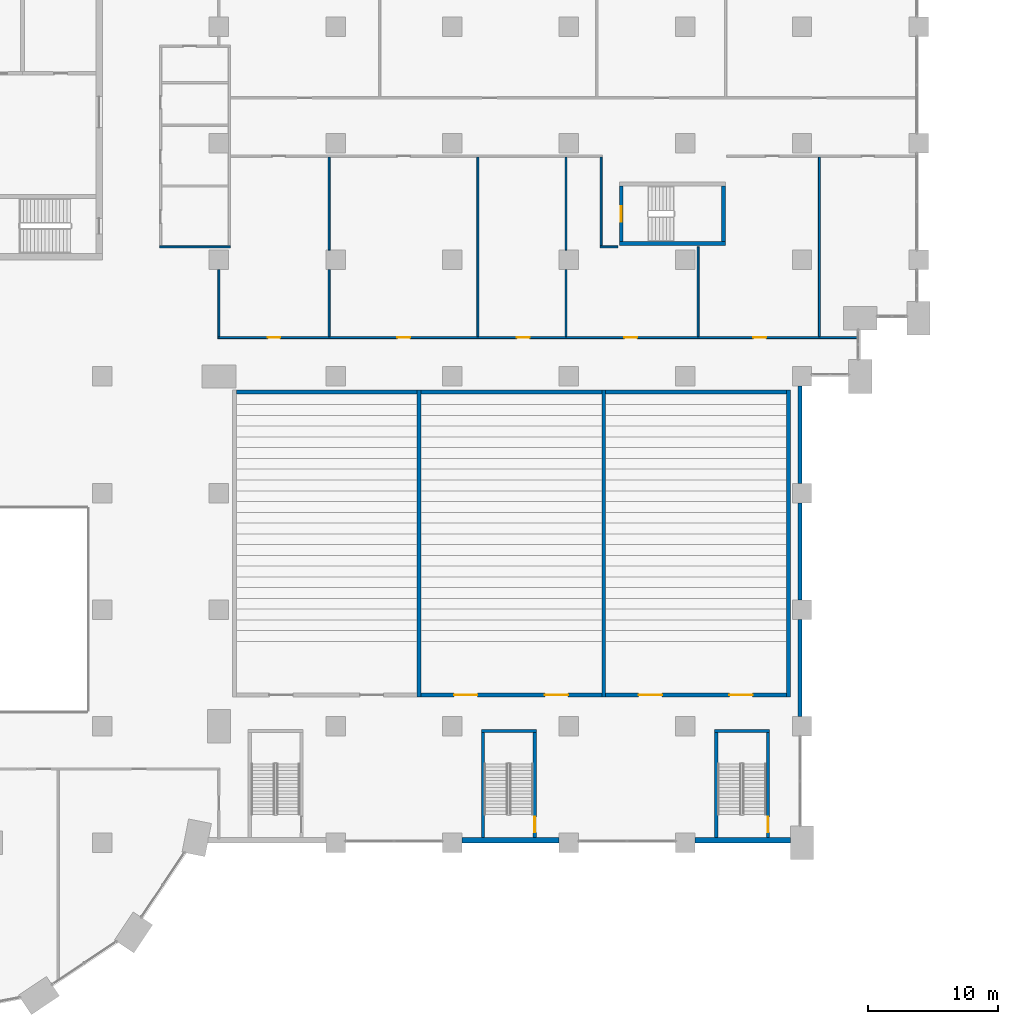
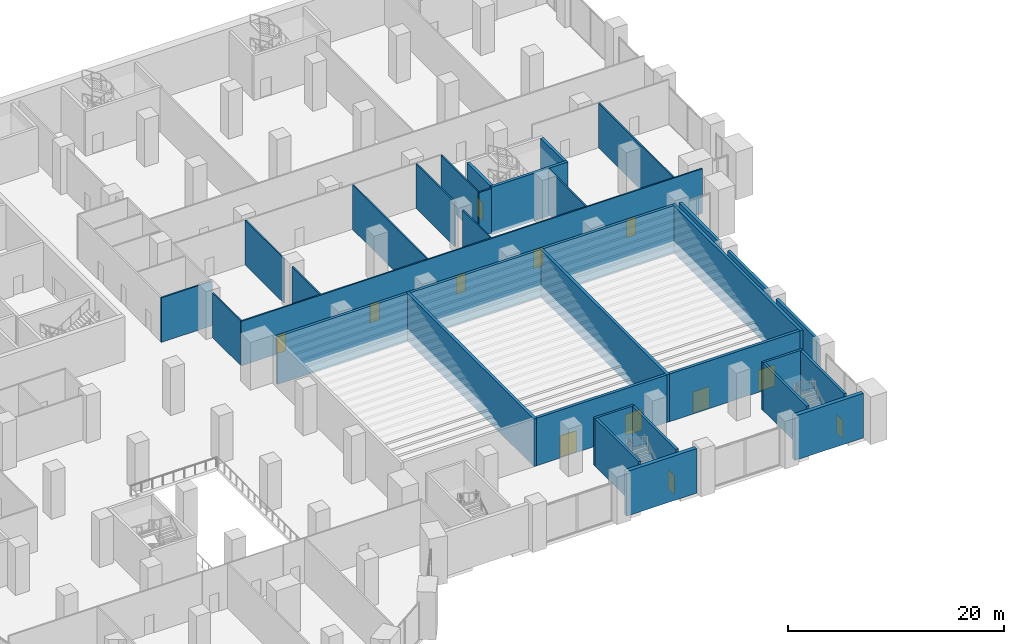
# One storey, part 17 of 44: 34 walls, 12 doors, 12 openings.
"""IFC4 building model written with IfcOpenShell, lengths in metres."""

import ifcopenshell
import ifcopenshell.guid

model = None  # the IFC model being written
_history = None  # IfcOwnerHistory: only IFC2X3 demands one
_inside = {}  # id of a spatial element -> (the spatial element, [elements in it])
_under = {}  # id of a project, library or spatial element -> (it, [spatial elements below it])
_declared = {}  # id of a project -> (the project, [libraries it declares])
_typed = {}  # id of a type object -> (the type object, [elements of that type])
_made_of = {}  # id of a material, layer set ... -> (it, [elements and type objects made of it])


def new_model(schema):
    """Start an empty IFC model of exactly this schema.

    Asked for "IFC4X3", IfcOpenShell would pick the latest addendum, in which some entities
    have other attributes; the version numbers below select the first issue.
    IFC2X3 requires an IfcOwnerHistory on every rooted entity: one is made here for all.
    """
    global model, _history
    if schema == "IFC4X3":
        model = ifcopenshell.file(schema_version=(4, 3, 0, 0))
    else:
        model = ifcopenshell.file(schema=schema)
    _inside.clear()
    _under.clear()
    _declared.clear()
    _typed.clear()
    _made_of.clear()
    _history = None
    if model.schema == "IFC2X3":
        org = make("IfcOrganization", Name="unknown")
        user = make(
            "IfcPersonAndOrganization",
            ThePerson=make("IfcPerson", FamilyName="unknown"),
            TheOrganization=org,
        )
        app = make(
            "IfcApplication",
            ApplicationDeveloper=org,
            Version="unknown",
            ApplicationFullName="unknown",
            ApplicationIdentifier="unknown",
        )
        _history = make(
            "IfcOwnerHistory",
            OwningUser=user,
            OwningApplication=app,
            ChangeAction="ADDED",
            CreationDate=0,
        )
    return model


def make(cls, **values):
    """One entity of the class cls with the attributes given. An attribute that is None is left unset."""
    return model.create_entity(
        cls, **{name: value for name, value in values.items() if value is not None}
    )


def rooted(cls, **values):
    """An entity with a GlobalId (a new one), such as an element, a storey or a relation."""
    return make(cls, GlobalId=ifcopenshell.guid.new(), OwnerHistory=_history, **values)


def si_unit(unit_type, name, prefix=None):
    """IfcSIUnit, for example si_unit("LENGTHUNIT", "METRE", prefix="MILLI")."""
    return make("IfcSIUnit", UnitType=unit_type, Prefix=prefix, Name=name)


def assignment(units):
    """IfcUnitAssignment: the units of a project."""
    return None if units is None else make("IfcUnitAssignment", Units=units)


def point(xyz):
    """IfcCartesianPoint."""
    return None if xyz is None else make("IfcCartesianPoint", Coordinates=xyz)


def direction(xyz):
    """IfcDirection."""
    return None if xyz is None else make("IfcDirection", DirectionRatios=xyz)


def frame(location, z_axis=None, x_axis=None):
    """IfcAxis2Placement3D, a coordinate frame: its origin and axes. An axis left out is left unset."""
    return make(
        "IfcAxis2Placement3D",
        Location=point(location),
        Axis=direction(z_axis),
        RefDirection=direction(x_axis),
    )


def frame_2d(location, x_axis=None):
    """IfcAxis2Placement2D, a coordinate frame in the plane: its origin and x axis."""
    return make(
        "IfcAxis2Placement2D", Location=point(location), RefDirection=direction(x_axis)
    )


def origin():
    """The frame at (0, 0, 0) with its axes left unset."""
    return frame((0.0, 0.0, 0.0))


def place(relative_to, where):
    """IfcLocalPlacement: puts the frame where relative to a parent placement (None: the world)."""
    return make(
        "IfcLocalPlacement", PlacementRelTo=relative_to, RelativePlacement=where
    )


def context(
    kind, dimensions, precision=None, world=None, true_north=None, identifier=None
):
    """IfcGeometricRepresentationContext, for example the 3D "Model" context."""
    return make(
        "IfcGeometricRepresentationContext",
        ContextIdentifier=identifier,
        ContextType=kind,
        CoordinateSpaceDimension=dimensions,
        Precision=precision,
        WorldCoordinateSystem=world,
        TrueNorth=true_north,
    )


def subcontext(parent, identifier, kind, view, scale=None):
    """IfcGeometricRepresentationSubContext, for example "Body" below "Model"."""
    return make(
        "IfcGeometricRepresentationSubContext",
        ContextIdentifier=identifier,
        ContextType=kind,
        ParentContext=parent,
        TargetScale=scale,
        TargetView=view,
    )


def project(units=None, contexts=None):
    """IfcProject with its units and contexts."""
    return rooted(
        "IfcProject",
        Name="project",
        RepresentationContexts=contexts,
        UnitsInContext=assignment(units),
    )


def spatial(cls, under=None, at=None, **own):
    """A site, building, storey or space (cls), placed at a placement, below another one or the project."""
    s = rooted(cls, ObjectPlacement=at, **own)
    if under is not None:
        _under.setdefault(under.id(), (under, []))[1].append(s)
    return s


def profile(cls, at=None, kind="AREA", **sizes):
    """A parametric profile (cls). Its sizes go by their IFC names, for example OverallWidth=200.0."""
    return make(cls, ProfileType=kind, Position=at, **sizes)


def rectangle(**sizes):
    """IfcRectangleProfileDef."""
    return profile("IfcRectangleProfileDef", **sizes)


def extrude(swept, where, along, depth):
    """IfcExtrudedAreaSolid: the profile swept, set in the frame where, extruded along a direction by depth."""
    return make(
        "IfcExtrudedAreaSolid",
        SweptArea=swept,
        Position=where,
        ExtrudedDirection=direction(along),
        Depth=depth,
    )


def shape(context_of_items, identifier, shape_type, items):
    """IfcShapeRepresentation: the items that make up one representation, for example the "Body"."""
    return make(
        "IfcShapeRepresentation",
        ContextOfItems=context_of_items,
        RepresentationIdentifier=identifier,
        RepresentationType=shape_type,
        Items=items,
    )


def material(Name=None, Category=None):
    """IfcMaterial."""
    return make("IfcMaterial", Name=Name, Category=Category)


def layer(
    of_material, thickness, ventilated=None, Name=None, Category=None, Priority=None
):
    """IfcMaterialLayer: one layer of a wall or slab, of a material (None: an air gap)."""
    return make(
        "IfcMaterialLayer",
        Material=of_material,
        LayerThickness=thickness,
        IsVentilated=ventilated,
        Name=Name,
        Category=Category,
        Priority=Priority,
    )


def layer_set(layers, Name=None):
    """IfcMaterialLayerSet."""
    return make("IfcMaterialLayerSet", MaterialLayers=layers, LayerSetName=Name)


def made_of(thing, what):
    """Note that an element or type object is made of a material, layer set ...; save() writes the relation."""
    if what is not None:
        _made_of.setdefault(what.id(), (what, []))[1].append(thing)
    return thing


def type_object(cls, material=None, **own):
    """A type object (cls), such as IfcWallType, which elements share."""
    return made_of(rooted(cls, **own), material)


def element(
    cls,
    number,
    at=None,
    inside=None,
    cuts=None,
    type_object=None,
    material=None,
    context=None,
    identifier="Body",
    shape_type=None,
    held_by="IfcProductDefinitionShape",
    body=None,
    shapes=None,
    **own,
):
    """One element of the class cls, such as IfcWall. Its Tag is "e" and its number.

    at: its placement. inside: the storey or other place that contains it. cuts: it is an
    opening in that element (IfcRelVoidsElement). A single representation is given by context,
    identifier, shape_type and body (its items); several are given by shapes. held_by: the class
    of the entity that holds the representations. save() writes the other relations.
    """
    e = rooted(cls, Tag="e%d" % number, ObjectPlacement=at, **own)
    if body is not None:
        shapes = [shape(context, identifier, shape_type, body)]
    if shapes is not None:
        e.Representation = make(held_by, Representations=shapes)
    if inside is not None:
        _inside.setdefault(inside.id(), (inside, []))[1].append(e)
    if cuts is not None:
        rooted(
            "IfcRelVoidsElement", RelatingBuildingElement=cuts, RelatedOpeningElement=e
        )
    if type_object is not None:
        _typed.setdefault(type_object.id(), (type_object, []))[1].append(e)
    return made_of(e, material)


def fill(opening, filler):
    """IfcRelFillsElement: the door or window that sits in an opening."""
    return rooted(
        "IfcRelFillsElement",
        RelatingOpeningElement=opening,
        RelatedBuildingElement=filler,
    )


def aggregate(whole, parts):
    """IfcRelAggregates: a whole, such as a stair, and the parts it consists of."""
    return rooted("IfcRelAggregates", RelatingObject=whole, RelatedObjects=parts)


def save(model, path):
    """Write the relations noted so far, then the file.

    IfcRelAggregates (storeys below a building ...), IfcRelContainedInSpatialStructure (elements
    in a storey), IfcRelDefinesByType, IfcRelAssociatesMaterial and IfcRelDeclares: one each for
    every whole, place, type object, material and project.
    """
    for whole, parts in _under.values():
        aggregate(whole, parts)
    for where, things in _inside.values():
        rooted(
            "IfcRelContainedInSpatialStructure",
            RelatedElements=things,
            RelatingStructure=where,
        )
    for kind, things in _typed.values():
        rooted("IfcRelDefinesByType", RelatedObjects=things, RelatingType=kind)
    for what, things in _made_of.values():
        rooted("IfcRelAssociatesMaterial", RelatedObjects=things, RelatingMaterial=what)
    for by, libraries in _declared.values():
        rooted("IfcRelDeclares", RelatingContext=by, RelatedDefinitions=libraries)
    model.write(path)


model = new_model("IFC4")

# Units and contexts
model_context = context("Model", 3, precision=1e-05, world=origin(), true_north=direction((0.0, 1.0)))
body_context = subcontext(model_context, "Body", "Model", "MODEL_VIEW")
ifc_project = project(units=[si_unit("LENGTHUNIT", "METRE"), si_unit("AREAUNIT", "SQUARE_METRE"), si_unit("VOLUMEUNIT", "CUBIC_METRE"), si_unit("PLANEANGLEUNIT", "RADIAN"), si_unit("MASSUNIT", "GRAM", prefix="KILO")], contexts=[model_context])

# Site, building, storey
site_placement = place(None, origin())
site = spatial("IfcSite", under=ifc_project, at=site_placement, CompositionType="ELEMENT")
building_placement = place(site_placement, origin())
building = spatial("IfcBuilding", under=site, at=building_placement, Name="Hunhe Ridgeline Campus", CompositionType="ELEMENT")
storey_placement = place(building_placement, frame((0.0, 0.0, 6.0)))
storey = spatial("IfcBuildingStorey", under=building, at=storey_placement, Name="L01", CompositionType="ELEMENT", Elevation=6.0)

# Walls
ifc_material_1 = material(Name="Plastered blockwork", Category="masonry")
ifc_layer_1 = layer(ifc_material_1, 0.14990234375)
ifc_layer_set_1 = layer_set([ifc_layer_1], Name="Blockwork partition 150")
wall_type_1 = type_object("IfcWallType", Name="Blockwork partition 150", PredefinedType="PARTITIONING", material=ifc_layer_set_1)
wall_1_placement = place(storey_placement, frame((45.0, 57.074951171875, 0.0), z_axis=(0.0, 0.0, 1.0), x_axis=(0.0, 1.0, 0.0)))
element("IfcWall", 1, at=wall_1_placement, inside=storey, type_object=wall_type_1, Name="L01 partition", PredefinedType="PARTITIONING", context=body_context, shape_type="SweptSolid", body=[
    extrude(rectangle(XDim=5.175048828125, YDim=0.14990234375, at=frame_2d((2.58740234375, 0.0))), origin(), (0.0, 0.0, 1.0), 5.050048828125),
])
wall_2_placement = place(storey_placement, frame((45.875, 64.0, 0.0), z_axis=(0.0, 0.0, 1.0), x_axis=(-1.0, 0.0, 0.0)))
element("IfcWall", 2, at=wall_2_placement, inside=storey, type_object=wall_type_1, Name="L01 partition", PredefinedType="PARTITIONING", context=body_context, shape_type="SweptSolid", body=[
    extrude(rectangle(XDim=5.449951171875, YDim=0.14990234375, at=frame_2d((2.72509765625, 0.0))), origin(), (0.0, 0.0, 1.0), 5.050048828125),
])
wall_3_placement = place(storey_placement, frame((74.425048828125, 64.0, 0.0), z_axis=(0.0, 0.0, 1.0), x_axis=(1.0, 0.0, 0.0)))
element("IfcWall", 3, at=wall_3_placement, inside=storey, type_object=wall_type_1, Name="L01 partition", PredefinedType="PARTITIONING", context=body_context, shape_type="SweptSolid", body=[
    extrude(rectangle(XDim=1.375, YDim=0.14990234375, at=frame_2d((0.6875, 0.0))), origin(), (0.0, 0.0, 1.0), 5.050048828125),
])
wall_4_placement = place(storey_placement, frame((53.50390625, 57.074951171875, 0.0), z_axis=(0.0, 0.0, 1.0), x_axis=(0.0, 1.0, 0.0)))
element("IfcWall", 4, at=wall_4_placement, inside=storey, type_object=wall_type_1, Name="L01 partition", PredefinedType="PARTITIONING", context=body_context, shape_type="SweptSolid", body=[
    extrude(rectangle(XDim=5.175048828125, YDim=0.14990234375, at=frame_2d((2.58740234375, 0.0))), origin(), (0.0, 0.0, 1.0), 5.050048828125),
])
wall_5_placement = place(storey_placement, frame((53.50390625, 63.75, 0.0), z_axis=(0.0, 0.0, 1.0), x_axis=(0.0, 1.0, 0.0)))
element("IfcWall", 5, at=wall_5_placement, inside=storey, type_object=wall_type_1, Name="L01 partition", PredefinedType="PARTITIONING", context=body_context, shape_type="SweptSolid", body=[
    extrude(rectangle(XDim=7.175048828125, YDim=0.14990234375, at=frame_2d((3.58740234375, 0.0))), origin(), (0.0, 0.0, 1.0), 5.050048828125),
])

# Wall, openings, doors
wall_6_placement = place(storey_placement, frame((94.320068359375, 57.0, 0.0), z_axis=(0.0, 0.0, 1.0), x_axis=(-1.0, 0.0, 0.0)))
wall_6 = element("IfcWall", 6, at=wall_6_placement, inside=storey, type_object=wall_type_1, Name="L01 partition", PredefinedType="PARTITIONING", context=body_context, shape_type="SweptSolid", body=[
    extrude(rectangle(XDim=49.39501953125, YDim=0.14990234375, at=frame_2d((24.697509765625, 0.0))), origin(), (0.0, 0.0, 1.0), 5.050048828125),
])
opening_1_placement = place(wall_6_placement, frame((44.570068359375, 0.0, 0.0)))
opening_1 = element("IfcOpeningElement", 7, at=opening_1_placement, cuts=wall_6, Name="Opening PD227", PredefinedType="OPENING", context=body_context, shape_type="SweptSolid", body=[
    extrude(rectangle(XDim=1.0, YDim=2.10009765625, at=frame_2d((0.5, 1.050048828125))), frame((0.0, 0.074951171875, 0.0), z_axis=(0.0, -1.0, 0.0), x_axis=(1.0, 0.0, 0.0)), (0.0, 0.0, 1.0), 0.14990234375),
])
opening_2_placement = place(wall_6_placement, frame((34.56591796875, 0.0, 0.0)))
opening_2 = element("IfcOpeningElement", 8, at=opening_2_placement, cuts=wall_6, Name="Opening PD229", PredefinedType="OPENING", context=body_context, shape_type="SweptSolid", body=[
    extrude(rectangle(XDim=1.0, YDim=2.10009765625, at=frame_2d((0.5, 1.050048828125))), frame((0.0, 0.074951171875, 0.0), z_axis=(0.0, -1.0, 0.0), x_axis=(1.0, 0.0, 0.0)), (0.0, 0.0, 1.0), 0.14990234375),
])
opening_3_placement = place(wall_6_placement, frame((25.3359375, 0.0, 0.0)))
opening_3 = element("IfcOpeningElement", 9, at=opening_3_placement, cuts=wall_6, Name="Opening PD231", PredefinedType="OPENING", context=body_context, shape_type="SweptSolid", body=[
    extrude(rectangle(XDim=1.0, YDim=2.10009765625, at=frame_2d((0.5, 1.050048828125))), frame((0.0, 0.074951171875, 0.0), z_axis=(0.0, -1.0, 0.0), x_axis=(1.0, 0.0, 0.0)), (0.0, 0.0, 1.0), 0.14990234375),
])
opening_4_placement = place(wall_6_placement, frame((17.032958984375, 0.0, 0.0)))
opening_4 = element("IfcOpeningElement", 10, at=opening_4_placement, cuts=wall_6, Name="Opening PD232", PredefinedType="OPENING", context=body_context, shape_type="SweptSolid", body=[
    extrude(rectangle(XDim=1.0, YDim=2.10009765625, at=frame_2d((0.5, 1.050048828125))), frame((0.0, 0.074951171875, 0.0), z_axis=(0.0, -1.0, 0.0), x_axis=(1.0, 0.0, 0.0)), (0.0, 0.0, 1.0), 0.14990234375),
])
opening_5_placement = place(wall_6_placement, frame((7.077880859375, 0.0, 0.0)))
opening_5 = element("IfcOpeningElement", 11, at=opening_5_placement, cuts=wall_6, Name="Opening PD233", PredefinedType="OPENING", context=body_context, shape_type="SweptSolid", body=[
    extrude(rectangle(XDim=1.0, YDim=2.10009765625, at=frame_2d((0.5, 1.050048828125))), frame((0.0, 0.074951171875, 0.0), z_axis=(0.0, -1.0, 0.0), x_axis=(1.0, 0.0, 0.0)), (0.0, 0.0, 1.0), 0.14990234375),
])
ifc_material_2 = material(Name="Timber", Category="wood")
door_type_1 = type_object("IfcDoorType", Name="Podium timber door 1000x2100", OperationType="NOTDEFINED", PredefinedType="DOOR", material=ifc_material_2)
door_1_placement = place(opening_1_placement, origin())
door_1 = element("IfcDoor", 12, at=door_1_placement, inside=storey, type_object=door_type_1, Name="Computing Teaching Room 1.09 door", OperationType="SINGLE_SWING_RIGHT", OverallHeight=2.10009765625, OverallWidth=1.0, PredefinedType="DOOR", context=body_context, shape_type="SweptSolid", body=[
    extrude(rectangle(XDim=1.0, YDim=2.10009765625, at=frame_2d((0.5, 1.050048828125))), frame((0.0, 0.02490234375, 0.0), z_axis=(0.0, -1.0, 0.0), x_axis=(1.0, 0.0, 0.0)), (0.0, 0.0, 1.0), 0.050048828125),
])
fill(opening_1, door_1)
door_2_placement = place(opening_2_placement, origin())
door_2 = element("IfcDoor", 13, at=door_2_placement, inside=storey, type_object=door_type_1, Name="Computing Teaching Room 1.10 door", OperationType="SINGLE_SWING_RIGHT", OverallHeight=2.10009765625, OverallWidth=1.0, PredefinedType="DOOR", context=body_context, shape_type="SweptSolid", body=[
    extrude(rectangle(XDim=1.0, YDim=2.10009765625, at=frame_2d((0.5, 1.050048828125))), frame((0.0, 0.02490234375, 0.0), z_axis=(0.0, -1.0, 0.0), x_axis=(1.0, 0.0, 0.0)), (0.0, 0.0, 1.0), 0.050048828125),
])
fill(opening_2, door_2)
door_3_placement = place(opening_3_placement, origin())
door_3 = element("IfcDoor", 14, at=door_3_placement, inside=storey, type_object=door_type_1, Name="Computing Teaching Room 1.11 door", OperationType="SINGLE_SWING_RIGHT", OverallHeight=2.10009765625, OverallWidth=1.0, PredefinedType="DOOR", context=body_context, shape_type="SweptSolid", body=[
    extrude(rectangle(XDim=1.0, YDim=2.10009765625, at=frame_2d((0.5, 1.050048828125))), frame((0.0, 0.02490234375, 0.0), z_axis=(0.0, -1.0, 0.0), x_axis=(1.0, 0.0, 0.0)), (0.0, 0.0, 1.0), 0.050048828125),
])
fill(opening_3, door_3)
door_4_placement = place(opening_4_placement, origin())
door_4 = element("IfcDoor", 15, at=door_4_placement, inside=storey, type_object=door_type_1, Name="Seminar Room 1.12 door", OperationType="SINGLE_SWING_LEFT", OverallHeight=2.10009765625, OverallWidth=1.0, PredefinedType="DOOR", context=body_context, shape_type="SweptSolid", body=[
    extrude(rectangle(XDim=1.0, YDim=2.10009765625, at=frame_2d((0.5, 1.050048828125))), frame((0.0, 0.02490234375, 0.0), z_axis=(0.0, -1.0, 0.0), x_axis=(1.0, 0.0, 0.0)), (0.0, 0.0, 1.0), 0.050048828125),
])
fill(opening_4, door_4)
door_5_placement = place(opening_5_placement, origin())
door_5 = element("IfcDoor", 16, at=door_5_placement, inside=storey, type_object=door_type_1, Name="Seminar Room 1.13 door", OperationType="SINGLE_SWING_LEFT", OverallHeight=2.10009765625, OverallWidth=1.0, PredefinedType="DOOR", context=body_context, shape_type="SweptSolid", body=[
    extrude(rectangle(XDim=1.0, YDim=2.10009765625, at=frame_2d((0.5, 1.050048828125))), frame((0.0, 0.02490234375, 0.0), z_axis=(0.0, -1.0, 0.0), x_axis=(1.0, 0.0, 0.0)), (0.0, 0.0, 1.0), 0.050048828125),
])
fill(opening_5, door_5)

# Walls
wall_7_placement = place(storey_placement, frame((64.98388671875, 57.074951171875, 0.0), z_axis=(0.0, 0.0, 1.0), x_axis=(0.0, 1.0, 0.0)))
element("IfcWall", 17, at=wall_7_placement, inside=storey, type_object=wall_type_1, Name="L01 partition", PredefinedType="PARTITIONING", context=body_context, shape_type="SweptSolid", body=[
    extrude(rectangle(XDim=13.85009765625, YDim=0.14990234375, at=frame_2d((6.925048828125, 0.0))), origin(), (0.0, 0.0, 1.0), 5.050048828125),
])
wall_8_placement = place(storey_placement, frame((71.787109375, 57.074951171875, 0.0), z_axis=(0.0, 0.0, 1.0), x_axis=(0.0, 1.0, 0.0)))
element("IfcWall", 18, at=wall_8_placement, inside=storey, type_object=wall_type_1, Name="L01 partition", PredefinedType="PARTITIONING", context=body_context, shape_type="SweptSolid", body=[
    extrude(rectangle(XDim=5.175048828125, YDim=0.14990234375, at=frame_2d((2.58740234375, 0.0))), origin(), (0.0, 0.0, 1.0), 5.050048828125),
])
wall_9_placement = place(storey_placement, frame((71.787109375, 63.75, 0.0), z_axis=(0.0, 0.0, 1.0), x_axis=(0.0, 1.0, 0.0)))
element("IfcWall", 19, at=wall_9_placement, inside=storey, type_object=wall_type_1, Name="L01 partition", PredefinedType="PARTITIONING", context=body_context, shape_type="SweptSolid", body=[
    extrude(rectangle(XDim=7.175048828125, YDim=0.14990234375, at=frame_2d((3.58740234375, 0.0))), origin(), (0.0, 0.0, 1.0), 5.050048828125),
])
wall_10_placement = place(storey_placement, frame((81.991943359375, 57.074951171875, 0.0), z_axis=(0.0, 0.0, 1.0), x_axis=(0.0, 1.0, 0.0)))
element("IfcWall", 20, at=wall_10_placement, inside=storey, type_object=wall_type_1, Name="L01 partition", PredefinedType="PARTITIONING", context=body_context, shape_type="SweptSolid", body=[
    extrude(rectangle(XDim=6.925048828125, YDim=0.14990234375, at=frame_2d((3.46240234375, 0.0))), origin(), (0.0, 0.0, 1.0), 5.050048828125),
])
wall_11_placement = place(storey_placement, frame((74.5, 70.925048828125, 0.0), z_axis=(0.0, 0.0, 1.0), x_axis=(0.0, -1.0, 0.0)))
element("IfcWall", 21, at=wall_11_placement, inside=storey, type_object=wall_type_1, Name="L01 partition", PredefinedType="PARTITIONING", context=body_context, shape_type="SweptSolid", body=[
    extrude(rectangle(XDim=6.85009765625, YDim=0.14990234375, at=frame_2d((3.425048828125, 0.0))), origin(), (0.0, 0.0, 1.0), 5.050048828125),
])
wall_12_placement = place(storey_placement, frame((91.345947265625, 57.074951171875, 0.0), z_axis=(0.0, 0.0, 1.0), x_axis=(0.0, 1.0, 0.0)))
element("IfcWall", 22, at=wall_12_placement, inside=storey, type_object=wall_type_1, Name="L01 partition", PredefinedType="PARTITIONING", context=body_context, shape_type="SweptSolid", body=[
    extrude(rectangle(XDim=13.85009765625, YDim=0.14990234375, at=frame_2d((6.925048828125, 0.0))), origin(), (0.0, 0.0, 1.0), 5.050048828125),
])
ifc_material_3 = material(Name="Concrete C40", Category="concrete")
ifc_layer_2 = layer(ifc_material_3, 0.300048828125)
ifc_layer_set_2 = layer_set([ifc_layer_2], Name="External concrete wall 300 C40")
wall_type_2 = type_object("IfcWallType", Name="External concrete wall 300 C40", PredefinedType="SOLIDWALL", material=ifc_layer_set_2)
for number, where, z_axis, x_axis, name in (
    (23, (89.85009765625, 27.75, 0.0), (0.0, 0.0, 1.0), (0.0, 1.0, 0.0), "L01 external wall"),
    (24, (89.85009765625, 36.75, 0.0), (0.0, 0.0, 1.0), (0.0, 1.0, 0.0), "L01 external wall"),
    (25, (89.85009765625, 45.75, 0.0), (0.0, 0.0, 1.0), (0.0, 1.0, 0.0), "L01 external wall"),
):
    element("IfcWall", number, at=place(storey_placement, frame(where, z_axis=z_axis, x_axis=x_axis)), inside=storey, type_object=wall_type_2, Name=name, PredefinedType="SOLIDWALL", context=body_context, shape_type="SweptSolid", body=[
        extrude(rectangle(XDim=7.5, YDim=0.300048828125, at=frame_2d((3.75, 0.0))), origin(), (0.0, 0.0, 1.0), 5.050048828125),
    ])
ifc_layer_3 = layer(ifc_material_3, 0.300048828125)
ifc_layer_set_3 = layer_set([ifc_layer_3], Name="Lecture hall wall 300 C40")
wall_type_3 = type_object("IfcWallType", Name="Lecture hall wall 300 C40", PredefinedType="SOLIDWALL", material=ifc_layer_set_3)
for number, where, z_axis, x_axis, name in (
    (26, (60.449951171875, 29.25, 0.0), (0.0, 0.0, 1.0), (0.0, 1.0, 0.0), "L01 lecture hall wall"),
    (27, (74.699951171875, 29.25, 0.0), (0.0, 0.0, 1.0), (0.0, 1.0, 0.0), "L01 lecture hall wall"),
    (28, (88.949951171875, 29.25, 0.0), (0.0, 0.0, 1.0), (0.0, 1.0, 0.0), "L01 lecture hall wall"),
):
    element("IfcWall", number, at=place(storey_placement, frame(where, z_axis=z_axis, x_axis=x_axis)), inside=storey, type_object=wall_type_3, Name=name, PredefinedType="SOLIDWALL", context=body_context, shape_type="SweptSolid", body=[
        extrude(rectangle(XDim=23.699951171875, YDim=0.300048828125, at=frame_2d((11.85009765625, 0.0))), origin(), (0.0, 0.0, 1.0), 5.39990234375),
    ])
wall_13_placement = place(storey_placement, frame((46.35009765625, 52.800048828125, 0.0), z_axis=(0.0, 0.0, 1.0), x_axis=(1.0, 0.0, 0.0)))
element("IfcWall", 29, at=wall_13_placement, inside=storey, type_object=wall_type_3, Name="L01 lecture hall wall", PredefinedType="SOLIDWALL", context=body_context, shape_type="SweptSolid", body=[
    extrude(rectangle(XDim=13.949951171875, YDim=0.300048828125, at=frame_2d((6.97509765625, 0.0))), origin(), (0.0, 0.0, 1.0), 5.39990234375),
])

# Wall, openings, doors
wall_14_placement = place(storey_placement, frame((74.550048828125, 29.39990234375, 0.0), z_axis=(0.0, 0.0, 1.0), x_axis=(-1.0, 0.0, 0.0)))
wall_14 = element("IfcWall", 30, at=wall_14_placement, inside=storey, type_object=wall_type_3, Name="L01 lecture hall wall", PredefinedType="SOLIDWALL", context=body_context, shape_type="SweptSolid", body=[
    extrude(rectangle(XDim=13.949951171875, YDim=0.300048828125, at=frame_2d((6.97509765625, 0.0))), origin(), (0.0, 0.0, 1.0), 5.39990234375),
])
opening_6_placement = place(wall_14_placement, frame((2.60009765625, 0.0, 0.0)))
opening_6 = element("IfcOpeningElement", 31, at=opening_6_placement, cuts=wall_14, Name="Opening PD206", PredefinedType="OPENING", context=body_context, shape_type="SweptSolid", body=[
    extrude(rectangle(XDim=1.800048828125, YDim=2.39990234375, at=frame_2d((0.89990234375, 1.199951171875))), frame((0.0, 0.14990234375, 0.0), z_axis=(0.0, -1.0, 0.0), x_axis=(1.0, 0.0, 0.0)), (0.0, 0.0, 1.0), 0.300048828125),
])
opening_7_placement = place(wall_14_placement, frame((9.60009765625, 0.0, 0.0)))
opening_7 = element("IfcOpeningElement", 32, at=opening_7_placement, cuts=wall_14, Name="Opening PD207", PredefinedType="OPENING", context=body_context, shape_type="SweptSolid", body=[
    extrude(rectangle(XDim=1.800048828125, YDim=2.39990234375, at=frame_2d((0.89990234375, 1.199951171875))), frame((0.0, 0.14990234375, 0.0), z_axis=(0.0, -1.0, 0.0), x_axis=(1.0, 0.0, 0.0)), (0.0, 0.0, 1.0), 0.300048828125),
])
door_type_2 = type_object("IfcDoorType", Name="Podium lecture hall double door 1800x2400", OperationType="NOTDEFINED", PredefinedType="DOOR", material=ifc_material_2)
door_6_placement = place(opening_6_placement, origin())
door_6 = element("IfcDoor", 33, at=door_6_placement, inside=storey, type_object=door_type_2, Name="Lecture Hall B front door", OperationType="DOUBLE_DOOR_SINGLE_SWING", OverallHeight=2.39990234375, OverallWidth=1.800048828125, PredefinedType="DOOR", context=body_context, shape_type="SweptSolid", body=[
    extrude(rectangle(XDim=1.800048828125, YDim=2.39990234375, at=frame_2d((0.89990234375, 1.199951171875))), frame((0.0, 0.02490234375, 0.0), z_axis=(0.0, -1.0, 0.0), x_axis=(1.0, 0.0, 0.0)), (0.0, 0.0, 1.0), 0.050048828125),
])
fill(opening_6, door_6)
door_7_placement = place(opening_7_placement, origin())
door_7 = element("IfcDoor", 34, at=door_7_placement, inside=storey, type_object=door_type_2, Name="Lecture Hall B front door", OperationType="DOUBLE_DOOR_SINGLE_SWING", OverallHeight=2.39990234375, OverallWidth=1.800048828125, PredefinedType="DOOR", context=body_context, shape_type="SweptSolid", body=[
    extrude(rectangle(XDim=1.800048828125, YDim=2.39990234375, at=frame_2d((0.89990234375, 1.199951171875))), frame((0.0, 0.02490234375, 0.0), z_axis=(0.0, -1.0, 0.0), x_axis=(1.0, 0.0, 0.0)), (0.0, 0.0, 1.0), 0.050048828125),
])
fill(opening_7, door_7)

# Wall
wall_15_placement = place(storey_placement, frame((60.60009765625, 52.800048828125, 0.0), z_axis=(0.0, 0.0, 1.0), x_axis=(1.0, 0.0, 0.0)))
element("IfcWall", 35, at=wall_15_placement, inside=storey, type_object=wall_type_3, Name="L01 lecture hall wall", PredefinedType="SOLIDWALL", context=body_context, shape_type="SweptSolid", body=[
    extrude(rectangle(XDim=13.949951171875, YDim=0.300048828125, at=frame_2d((6.97509765625, 0.0))), origin(), (0.0, 0.0, 1.0), 5.39990234375),
])

# Wall, openings, doors
wall_16_placement = place(storey_placement, frame((88.800048828125, 29.39990234375, 0.0), z_axis=(0.0, 0.0, 1.0), x_axis=(-1.0, 0.0, 0.0)))
wall_16 = element("IfcWall", 36, at=wall_16_placement, inside=storey, type_object=wall_type_3, Name="L01 lecture hall wall", PredefinedType="SOLIDWALL", context=body_context, shape_type="SweptSolid", body=[
    extrude(rectangle(XDim=13.949951171875, YDim=0.300048828125, at=frame_2d((6.97509765625, 0.0))), origin(), (0.0, 0.0, 1.0), 5.39990234375),
])
opening_8_placement = place(wall_16_placement, frame((2.60009765625, 0.0, 0.0)))
opening_8 = element("IfcOpeningElement", 37, at=opening_8_placement, cuts=wall_16, Name="Opening PD208", PredefinedType="OPENING", context=body_context, shape_type="SweptSolid", body=[
    extrude(rectangle(XDim=1.800048828125, YDim=2.39990234375, at=frame_2d((0.89990234375, 1.199951171875))), frame((0.0, 0.14990234375, 0.0), z_axis=(0.0, -1.0, 0.0), x_axis=(1.0, 0.0, 0.0)), (0.0, 0.0, 1.0), 0.300048828125),
])
opening_9_placement = place(wall_16_placement, frame((9.60009765625, 0.0, 0.0)))
opening_9 = element("IfcOpeningElement", 38, at=opening_9_placement, cuts=wall_16, Name="Opening PD209", PredefinedType="OPENING", context=body_context, shape_type="SweptSolid", body=[
    extrude(rectangle(XDim=1.800048828125, YDim=2.39990234375, at=frame_2d((0.89990234375, 1.199951171875))), frame((0.0, 0.14990234375, 0.0), z_axis=(0.0, -1.0, 0.0), x_axis=(1.0, 0.0, 0.0)), (0.0, 0.0, 1.0), 0.300048828125),
])
door_8_placement = place(opening_8_placement, origin())
door_8 = element("IfcDoor", 39, at=door_8_placement, inside=storey, type_object=door_type_2, Name="Lecture Hall C front door", OperationType="DOUBLE_DOOR_SINGLE_SWING", OverallHeight=2.39990234375, OverallWidth=1.800048828125, PredefinedType="DOOR", context=body_context, shape_type="SweptSolid", body=[
    extrude(rectangle(XDim=1.800048828125, YDim=2.39990234375, at=frame_2d((0.89990234375, 1.199951171875))), frame((0.0, 0.02490234375, 0.0), z_axis=(0.0, -1.0, 0.0), x_axis=(1.0, 0.0, 0.0)), (0.0, 0.0, 1.0), 0.050048828125),
])
fill(opening_8, door_8)
door_9_placement = place(opening_9_placement, origin())
door_9 = element("IfcDoor", 40, at=door_9_placement, inside=storey, type_object=door_type_2, Name="Lecture Hall C front door", OperationType="DOUBLE_DOOR_SINGLE_SWING", OverallHeight=2.39990234375, OverallWidth=1.800048828125, PredefinedType="DOOR", context=body_context, shape_type="SweptSolid", body=[
    extrude(rectangle(XDim=1.800048828125, YDim=2.39990234375, at=frame_2d((0.89990234375, 1.199951171875))), frame((0.0, 0.02490234375, 0.0), z_axis=(0.0, -1.0, 0.0), x_axis=(1.0, 0.0, 0.0)), (0.0, 0.0, 1.0), 0.050048828125),
])
fill(opening_9, door_9)

# Walls
wall_17_placement = place(storey_placement, frame((74.85009765625, 52.800048828125, 0.0), z_axis=(0.0, 0.0, 1.0), x_axis=(1.0, 0.0, 0.0)))
element("IfcWall", 41, at=wall_17_placement, inside=storey, type_object=wall_type_3, Name="L01 lecture hall wall", PredefinedType="SOLIDWALL", context=body_context, shape_type="SweptSolid", body=[
    extrude(rectangle(XDim=13.949951171875, YDim=0.300048828125, at=frame_2d((6.97509765625, 0.0))), origin(), (0.0, 0.0, 1.0), 5.39990234375),
])
ifc_layer_4 = layer(ifc_material_3, 0.39990234375)
ifc_layer_set_4 = layer_set([ifc_layer_4], Name="Stair shaft facade wall 400 C40")
wall_type_4 = type_object("IfcWallType", Name="Stair shaft facade wall 400 C40", PredefinedType="SOLIDWALL", material=ifc_layer_set_4)
wall_18_placement = place(storey_placement, frame((71.25, 18.199951171875, 0.0), z_axis=(0.0, 0.0, 1.0), x_axis=(-1.0, 0.0, 0.0)))
element("IfcWall", 42, at=wall_18_placement, inside=storey, type_object=wall_type_4, Name="L01 stair facade wall", PredefinedType="SOLIDWALL", context=body_context, shape_type="SweptSolid", body=[
    extrude(rectangle(XDim=7.5, YDim=0.39990234375, at=frame_2d((3.75, 0.0))), origin(), (0.0, 0.0, 1.0), 5.050048828125),
])
wall_19_placement = place(storey_placement, frame((89.10009765625, 18.199951171875, 0.0), z_axis=(0.0, 0.0, 1.0), x_axis=(-1.0, 0.0, 0.0)))
element("IfcWall", 43, at=wall_19_placement, inside=storey, type_object=wall_type_4, Name="L01 stair facade wall", PredefinedType="SOLIDWALL", context=body_context, shape_type="SweptSolid", body=[
    extrude(rectangle(XDim=7.35009765625, YDim=0.39990234375, at=frame_2d((3.675048828125, 0.0))), origin(), (0.0, 0.0, 1.0), 5.050048828125),
])
ifc_layer_5 = layer(ifc_material_3, 0.25)
ifc_layer_set_5 = layer_set([ifc_layer_5], Name="Stair shaft wall 250 C40")
wall_type_5 = type_object("IfcWallType", Name="Stair shaft wall 250 C40", PredefinedType="SOLIDWALL", material=ifc_layer_set_5)
wall_20_placement = place(storey_placement, frame((65.375, 18.39990234375, 0.0), z_axis=(0.0, 0.0, 1.0), x_axis=(0.0, 1.0, 0.0)))
element("IfcWall", 44, at=wall_20_placement, inside=storey, type_object=wall_type_5, Name="L01 PS2 shaft wall", PredefinedType="SOLIDWALL", context=body_context, shape_type="SweptSolid", body=[
    extrude(rectangle(XDim=8.10009765625, YDim=0.25, at=frame_2d((4.050048828125, 0.0))), origin(), (0.0, 0.0, 1.0), 5.39990234375),
])

# Wall, opening, door
wall_21_placement = place(storey_placement, frame((69.375, 26.5, 0.0), z_axis=(0.0, 0.0, 1.0), x_axis=(0.0, -1.0, 0.0)))
wall_21 = element("IfcWall", 45, at=wall_21_placement, inside=storey, type_object=wall_type_5, Name="L01 PS2 shaft wall", PredefinedType="SOLIDWALL", context=body_context, shape_type="SweptSolid", body=[
    extrude(rectangle(XDim=8.10009765625, YDim=0.25, at=frame_2d((4.050048828125, 0.0))), origin(), (0.0, 0.0, 1.0), 5.39990234375),
])
opening_10_placement = place(wall_21_placement, frame((6.5, 0.0, 0.0)))
opening_10 = element("IfcOpeningElement", 46, at=opening_10_placement, cuts=wall_21, Name="Opening PD202", PredefinedType="OPENING", context=body_context, shape_type="SweptSolid", body=[
    extrude(rectangle(XDim=1.199951171875, YDim=2.10009765625, at=frame_2d((0.60009765625, 1.050048828125))), frame((0.0, 0.125, 0.0), z_axis=(0.0, -1.0, 0.0), x_axis=(1.0, 0.0, 0.0)), (0.0, 0.0, 1.0), 0.25),
])
ifc_material_4 = material(Name="Steel Q235", Category="steel")
door_type_3 = type_object("IfcDoorType", Name="Podium fire door 1200x2100 FD60", OperationType="NOTDEFINED", PredefinedType="DOOR", material=ifc_material_4)
door_10_placement = place(opening_10_placement, origin())
door_10 = element("IfcDoor", 47, at=door_10_placement, inside=storey, type_object=door_type_3, Name="Stair door PS2", OperationType="SINGLE_SWING_LEFT", OverallHeight=2.10009765625, OverallWidth=1.199951171875, PredefinedType="DOOR", context=body_context, shape_type="SweptSolid", body=[
    extrude(rectangle(XDim=1.199951171875, YDim=2.10009765625, at=frame_2d((0.60009765625, 1.050048828125))), frame((0.0, 0.02490234375, 0.0), z_axis=(0.0, -1.0, 0.0), x_axis=(1.0, 0.0, 0.0)), (0.0, 0.0, 1.0), 0.050048828125),
])
fill(opening_10, door_10)

# Walls
wall_22_placement = place(storey_placement, frame((65.25, 26.625, 0.0), z_axis=(0.0, 0.0, 1.0), x_axis=(1.0, 0.0, 0.0)))
element("IfcWall", 48, at=wall_22_placement, inside=storey, type_object=wall_type_5, Name="L01 PS2 shaft wall", PredefinedType="SOLIDWALL", context=body_context, shape_type="SweptSolid", body=[
    extrude(rectangle(XDim=4.25, YDim=0.25, at=frame_2d((2.125, 0.0))), origin(), (0.0, 0.0, 1.0), 5.39990234375),
])
wall_23_placement = place(storey_placement, frame((83.375, 18.39990234375, 0.0), z_axis=(0.0, 0.0, 1.0), x_axis=(0.0, 1.0, 0.0)))
element("IfcWall", 49, at=wall_23_placement, inside=storey, type_object=wall_type_5, Name="L01 PS3 shaft wall", PredefinedType="SOLIDWALL", context=body_context, shape_type="SweptSolid", body=[
    extrude(rectangle(XDim=8.10009765625, YDim=0.25, at=frame_2d((4.050048828125, 0.0))), origin(), (0.0, 0.0, 1.0), 5.39990234375),
])

# Wall, opening, door
wall_24_placement = place(storey_placement, frame((87.375, 26.5, 0.0), z_axis=(0.0, 0.0, 1.0), x_axis=(0.0, -1.0, 0.0)))
wall_24 = element("IfcWall", 50, at=wall_24_placement, inside=storey, type_object=wall_type_5, Name="L01 PS3 shaft wall", PredefinedType="SOLIDWALL", context=body_context, shape_type="SweptSolid", body=[
    extrude(rectangle(XDim=8.10009765625, YDim=0.25, at=frame_2d((4.050048828125, 0.0))), origin(), (0.0, 0.0, 1.0), 5.39990234375),
])
opening_11_placement = place(wall_24_placement, frame((6.5, 0.0, 0.0)))
opening_11 = element("IfcOpeningElement", 51, at=opening_11_placement, cuts=wall_24, Name="Opening PD203", PredefinedType="OPENING", context=body_context, shape_type="SweptSolid", body=[
    extrude(rectangle(XDim=1.199951171875, YDim=2.10009765625, at=frame_2d((0.60009765625, 1.050048828125))), frame((0.0, 0.125, 0.0), z_axis=(0.0, -1.0, 0.0), x_axis=(1.0, 0.0, 0.0)), (0.0, 0.0, 1.0), 0.25),
])
door_11_placement = place(opening_11_placement, origin())
door_11 = element("IfcDoor", 52, at=door_11_placement, inside=storey, type_object=door_type_3, Name="Stair door PS3", OperationType="SINGLE_SWING_LEFT", OverallHeight=2.10009765625, OverallWidth=1.199951171875, PredefinedType="DOOR", context=body_context, shape_type="SweptSolid", body=[
    extrude(rectangle(XDim=1.199951171875, YDim=2.10009765625, at=frame_2d((0.60009765625, 1.050048828125))), frame((0.0, 0.02490234375, 0.0), z_axis=(0.0, -1.0, 0.0), x_axis=(1.0, 0.0, 0.0)), (0.0, 0.0, 1.0), 0.050048828125),
])
fill(opening_11, door_11)

# Walls
wall_25_placement = place(storey_placement, frame((83.25, 26.625, 0.0), z_axis=(0.0, 0.0, 1.0), x_axis=(1.0, 0.0, 0.0)))
element("IfcWall", 53, at=wall_25_placement, inside=storey, type_object=wall_type_5, Name="L01 PS3 shaft wall", PredefinedType="SOLIDWALL", context=body_context, shape_type="SweptSolid", body=[
    extrude(rectangle(XDim=4.25, YDim=0.25, at=frame_2d((2.125, 0.0))), origin(), (0.0, 0.0, 1.0), 5.39990234375),
])
ifc_material_5 = material(Name="Concrete C80", Category="concrete")
ifc_layer_6 = layer(ifc_material_5, 0.300048828125)
ifc_layer_set_6 = layer_set([ifc_layer_6], Name="Stair wall 300 reinforced concrete C80")
wall_type_6 = type_object("IfcWallType", Name="Stair wall 300 reinforced concrete C80", PredefinedType="SOLIDWALL", material=ifc_layer_set_6)
wall_26_placement = place(storey_placement, frame((75.89990234375, 64.25, -0.35009765625), z_axis=(0.0, 0.0, 1.0), x_axis=(1.0, 0.0, 0.0)))
element("IfcWall", 54, at=wall_26_placement, inside=storey, type_object=wall_type_6, Name="L01 core wall 8", PredefinedType="SOLIDWALL", context=body_context, shape_type="SweptSolid", body=[
    extrude(rectangle(XDim=8.2001953125, YDim=0.300048828125, at=frame_2d((4.10009765625, 0.0))), origin(), (0.0, 0.0, 1.0), 5.400146484375),
])

# Wall, opening, door
wall_27_placement = place(storey_placement, frame((76.050048828125, 64.39990234375, -0.35009765625), z_axis=(0.0, 0.0, 1.0), x_axis=(0.0, 1.0, 0.0)))
wall_27 = element("IfcWall", 55, at=wall_27_placement, inside=storey, type_object=wall_type_6, Name="L01 core wall 71", PredefinedType="SOLIDWALL", context=body_context, shape_type="SweptSolid", body=[
    extrude(rectangle(XDim=4.300048828125, YDim=0.300048828125, at=frame_2d((2.14990234375, 0.0))), origin(), (0.0, 0.0, 1.0), 5.400146484375),
])
opening_12_placement = place(wall_27_placement, frame((1.550048828125, 0.0, 0.35009765625)))
opening_12 = element("IfcOpeningElement", 56, at=opening_12_placement, cuts=wall_27, Name="Opening CD24", PredefinedType="OPENING", context=body_context, shape_type="SweptSolid", body=[
    extrude(rectangle(XDim=1.199951171875, YDim=2.10009765625, at=frame_2d((0.60009765625, 1.050048828125))), frame((0.0, 0.14990234375, 0.0), z_axis=(0.0, -1.0, 0.0), x_axis=(1.0, 0.0, 0.0)), (0.0, 0.0, 1.0), 0.300048828125),
])
ifc_material_6 = material(Name="Hollow metal fire door leaf")
door_type_4 = type_object("IfcDoorType", Name="Stair door 1200x2100 FD60", OperationType="SINGLE_SWING_LEFT", PredefinedType="DOOR", material=ifc_material_6)
door_12_placement = place(opening_12_placement, origin())
door_12 = element("IfcDoor", 57, at=door_12_placement, inside=storey, type_object=door_type_4, Name="L01 door E5", OperationType="SINGLE_SWING_RIGHT", OverallHeight=2.10009765625, OverallWidth=1.199951171875, PredefinedType="DOOR", context=body_context, shape_type="SweptSolid", body=[
    extrude(rectangle(XDim=1.199951171875, YDim=2.10009765625, at=frame_2d((0.60009765625, 1.050048828125))), frame((0.0, 0.02490234375, 0.0), z_axis=(0.0, -1.0, 0.0), x_axis=(1.0, 0.0, 0.0)), (0.0, 0.0, 1.0), 0.050048828125),
])
fill(opening_12, door_12)

# Wall
wall_28_placement = place(storey_placement, frame((83.949951171875, 64.39990234375, -0.35009765625), z_axis=(0.0, 0.0, 1.0), x_axis=(0.0, 1.0, 0.0)))
element("IfcWall", 58, at=wall_28_placement, inside=storey, type_object=wall_type_6, Name="L01 core wall 72", PredefinedType="SOLIDWALL", context=body_context, shape_type="SweptSolid", body=[
    extrude(rectangle(XDim=4.300048828125, YDim=0.300048828125, at=frame_2d((2.14990234375, 0.0))), origin(), (0.0, 0.0, 1.0), 5.400146484375),
])

save(model, "model.ifc")
